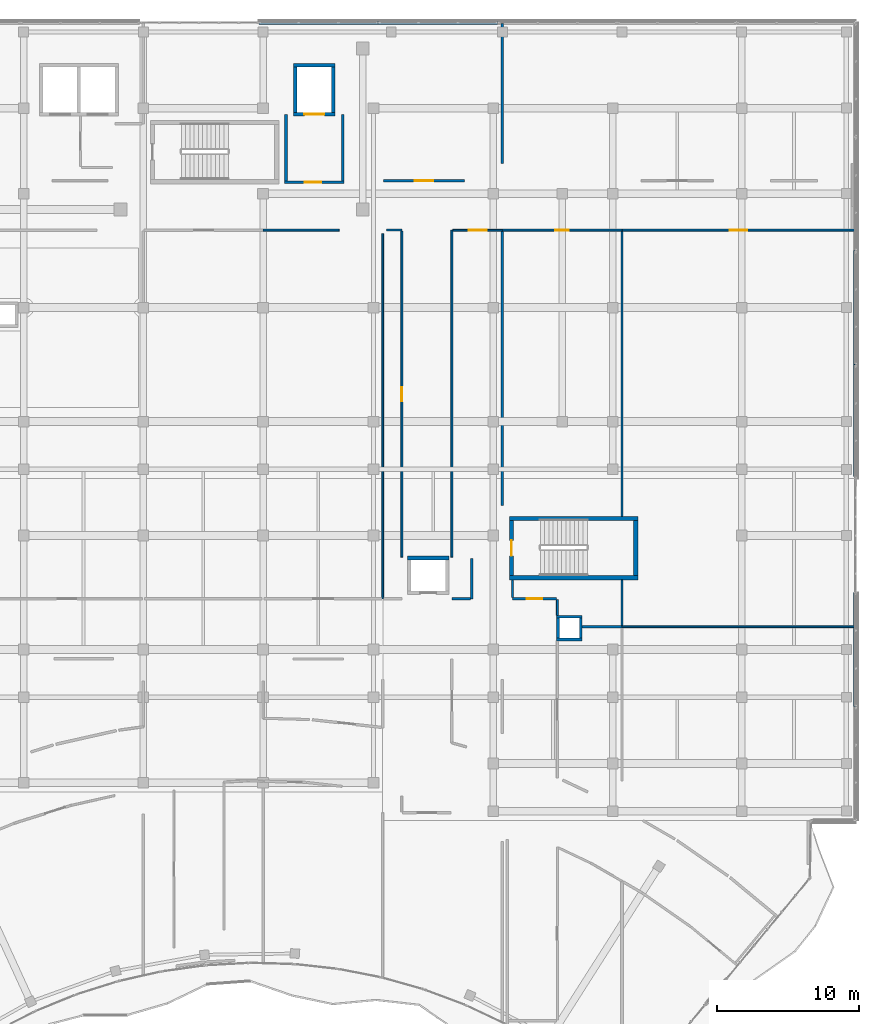
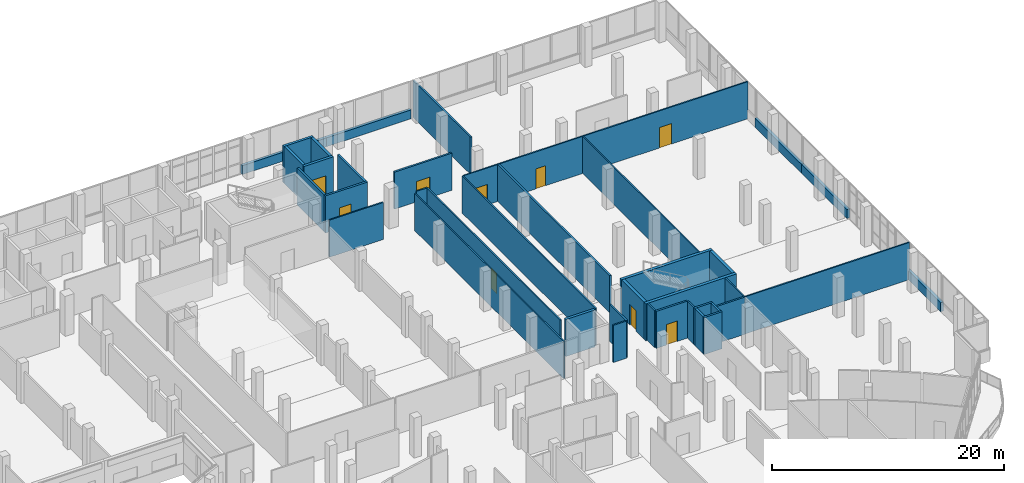
# One storey, part 171 of 184: 41 walls, 9 doors, 9 openings.
"""IFC4 building model written with IfcOpenShell, lengths in metres."""

from ifc_helpers import new_model, si_unit, direction, frame, frame_2d, origin, place, context, subcontext, project, spatial, rectangle, extrude, material, layer, layer_set, type_object, element, fill, save


model = new_model("IFC4")

# Units and contexts
model_context = context("Model", 3, precision=1e-05, world=origin(), true_north=direction((0.0, 1.0)))
body_context = subcontext(model_context, "Body", "Model", "MODEL_VIEW")
ifc_project = project(units=[si_unit("LENGTHUNIT", "METRE"), si_unit("AREAUNIT", "SQUARE_METRE"), si_unit("VOLUMEUNIT", "CUBIC_METRE"), si_unit("PLANEANGLEUNIT", "RADIAN"), si_unit("MASSUNIT", "GRAM", prefix="KILO")], contexts=[model_context])

# Site, building, storey
site_placement = place(None, origin())
site = spatial("IfcSite", under=ifc_project, at=site_placement, CompositionType="ELEMENT")
building_placement = place(site_placement, origin())
building = spatial("IfcBuilding", under=site, at=building_placement, Name="Selatvlak General Hospital", CompositionType="ELEMENT")
storey_placement = place(building_placement, frame((0.0, 0.0, 15.0)))
storey = spatial("IfcBuildingStorey", under=building, at=storey_placement, Name="L03", CompositionType="ELEMENT", Elevation=15.0)

# Walls
ifc_material_1 = material(Name="Precast concrete C40/50 - white Bauhaus spandrel", Category="concrete")
ifc_layer_1 = layer(ifc_material_1, 0.280029296875, Name="Precast concrete C40/50 - white Bauhaus spandrel", Category="concrete")
ifc_layer_set_1 = layer_set([ifc_layer_1], Name="Precast concrete C40/50 - white Bauhaus spandrel")
wall_type_1 = type_object("IfcWallType", Name="WALL-EW-02", PredefinedType="SOLIDWALL", material=ifc_layer_set_1)
for number, where, z_axis, x_axis, name in (
    (1, (140.10107421875, 120.0, 0.0), (0.0, 0.0, 1.0), (1.0, 0.0, 0.0), "L03 Bauhaus spandrel sill wall 0373"),
    (2, (148.48095703125, 120.0, 0.0), (0.0, 0.0, 1.0), (1.0, 0.0, 0.0), "L03 Bauhaus spandrel sill wall 0374"),
):
    element("IfcWall", number, at=place(storey_placement, frame(where, z_axis=z_axis, x_axis=x_axis)), inside=storey, type_object=wall_type_1, Name=name, PredefinedType="SOLIDWALL", context=body_context, shape_type="SweptSolid", body=[
        extrude(rectangle(XDim=8.3759765625, YDim=0.280029296875, at=frame_2d((4.18798828125, 0.0))), origin(), (0.0, 0.0, 1.0), 0.93994140625),
    ])
wall_1_placement = place(storey_placement, frame((182.0, 103.9990234375, 0.0), z_axis=(0.0, 0.0, 1.0), x_axis=(0.0, -1.0, 0.0)))
element("IfcWall", 3, at=wall_1_placement, inside=storey, type_object=wall_type_1, Name="L03 Bauhaus spandrel sill wall 0380", PredefinedType="SOLIDWALL", context=body_context, shape_type="SweptSolid", body=[
    extrude(rectangle(XDim=7.99609375, YDim=0.280029296875, at=frame_2d((3.998046875, 0.0))), origin(), (0.0, 0.0, 1.0), 0.93994140625),
])
wall_2_placement = place(storey_placement, frame((182.0, 95.9990234375, 0.0), z_axis=(0.0, 0.0, 1.0), x_axis=(0.0, -1.0, 0.0)))
element("IfcWall", 4, at=wall_2_placement, inside=storey, type_object=wall_type_1, Name="L03 Bauhaus spandrel sill wall 0381", PredefinedType="SOLIDWALL", context=body_context, shape_type="SweptSolid", body=[
    extrude(rectangle(XDim=7.85791015625, YDim=0.280029296875, at=frame_2d((3.928955078125, 0.0))), origin(), (0.0, 0.0, 1.0), 0.93994140625),
])
wall_3_placement = place(storey_placement, frame((182.0, 79.9990234375, 0.0), z_axis=(0.0, 0.0, 1.0), x_axis=(0.0, -1.0, 0.0)))
element("IfcWall", 5, at=wall_3_placement, inside=storey, type_object=wall_type_1, Name="L03 Bauhaus spandrel sill wall 0382", PredefinedType="SOLIDWALL", context=body_context, shape_type="SweptSolid", body=[
    extrude(rectangle(XDim=7.99609375, YDim=0.280029296875, at=frame_2d((3.998046875, 0.0))), origin(), (0.0, 0.0, 1.0), 0.93994140625),
])

# Wall, opening, door
ifc_material_2 = material(Name="Concrete C40/50", Category="concrete")
ifc_layer_2 = layer(ifc_material_2, 0.199951171875, Name="Concrete C40/50", Category="concrete")
ifc_layer_set_2 = layer_set([ifc_layer_2], Name="Concrete C40/50")
wall_type_2 = type_object("IfcWallType", Name="WALL-IW-02", PredefinedType="SOLIDWALL", material=ifc_layer_set_2)
wall_4_placement = place(storey_placement, frame((141.89990234375, 108.800048828125, 0.0), z_axis=(0.0, 0.0, 1.0), x_axis=(1.0, 0.0, 0.0)))
wall_4 = element("IfcWall", 6, at=wall_4_placement, inside=storey, type_object=wall_type_2, Name="Firefighting lobby C4 wall L03 S", PredefinedType="SOLIDWALL", context=body_context, shape_type="SweptSolid", body=[
    extrude(rectangle(XDim=4.2001953125, YDim=0.199951171875, at=frame_2d((2.10009765625, 0.0))), origin(), (0.0, 0.0, 1.0), 3.89501953125),
])
opening_1_placement = place(wall_4_placement, frame((1.425048828125, 0.0, 0.0)))
opening_1 = element("IfcOpeningElement", 7, at=opening_1_placement, cuts=wall_4, Name="Opening D-06", PredefinedType="OPENING", context=body_context, shape_type="SweptSolid", body=[
    extrude(rectangle(XDim=1.14990234375, YDim=2.14990234375, at=frame_2d((0.574951171875, 1.074951171875))), frame((0.0, 0.10986328125, 0.0), z_axis=(0.0, -1.0, 0.0), x_axis=(1.0, 0.0, 0.0)), (0.0, 0.0, 1.0), 0.219970703125),
])
ifc_material_3 = material(Name="Firefighting lobby fire door")
door_type_1 = type_object("IfcDoorType", Name="DOOR-D-06", OperationType="NOTDEFINED", PredefinedType="DOOR", material=ifc_material_3)
door_1_placement = place(opening_1_placement, origin())
door_1 = element("IfcDoor", 8, at=door_1_placement, inside=storey, type_object=door_type_1, Name="Firefighting lobby C4 door on L03", OperationType="SINGLE_SWING_LEFT", OverallHeight=2.14990234375, OverallWidth=1.14990234375, PredefinedType="DOOR", context=body_context, shape_type="SweptSolid", body=[
    extrude(rectangle(XDim=1.14990234375, YDim=2.14990234375, at=frame_2d((0.574951171875, 1.074951171875))), frame((0.0, 0.02490234375, 0.0), z_axis=(0.0, -1.0, 0.0), x_axis=(1.0, 0.0, 0.0)), (0.0, 0.0, 1.0), 0.050048828125),
])
fill(opening_1, door_1)

# Walls
for number, where, z_axis, x_axis, name in (
    (9, (146.0, 108.89990234375, 0.0), (0.0, 0.0, 1.0), (0.0, 1.0, 0.0), "Firefighting lobby C4 wall L03 E"),
    (10, (142.0, 113.550048828125, 0.0), (0.0, 0.0, 1.0), (0.0, -1.0, 0.0), "Firefighting lobby C4 wall L03 W"),
):
    element("IfcWall", number, at=place(storey_placement, frame(where, z_axis=z_axis, x_axis=x_axis)), inside=storey, type_object=wall_type_2, Name=name, PredefinedType="SOLIDWALL", context=body_context, shape_type="SweptSolid", body=[
        extrude(rectangle(XDim=4.650146484375, YDim=0.199951171875, at=frame_2d((2.3251953125, 0.0))), origin(), (0.0, 0.0, 1.0), 3.89501953125),
    ])
wall_5_placement = place(storey_placement, frame((161.0, 76.699951171875, 0.0), z_axis=(0.0, 0.0, 1.0), x_axis=(1.0, 0.0, 0.0)))
element("IfcWall", 11, at=wall_5_placement, inside=storey, type_object=wall_type_2, Name="Service riser 4 shaft wall L03 S", PredefinedType="SOLIDWALL", context=body_context, shape_type="SweptSolid", body=[
    extrude(rectangle(XDim=1.800048828125, YDim=0.199951171875, at=frame_2d((0.89990234375, 0.0))), origin(), (0.0, 0.0, 1.0), 3.89501953125),
])
wall_6_placement = place(storey_placement, frame((162.699951171875, 76.800048828125, 0.0), z_axis=(0.0, 0.0, 1.0), x_axis=(0.0, 1.0, 0.0)))
element("IfcWall", 12, at=wall_6_placement, inside=storey, type_object=wall_type_2, Name="Service riser 4 shaft wall L03 E", PredefinedType="SOLIDWALL", context=body_context, shape_type="SweptSolid", body=[
    extrude(rectangle(XDim=1.39990234375, YDim=0.199951171875, at=frame_2d((0.699951171875, 0.0))), origin(), (0.0, 0.0, 1.0), 3.89501953125),
])
wall_7_placement = place(storey_placement, frame((162.800048828125, 78.300048828125, 0.0), z_axis=(0.0, 0.0, 1.0), x_axis=(-1.0, 0.0, 0.0)))
element("IfcWall", 13, at=wall_7_placement, inside=storey, type_object=wall_type_2, Name="Service riser 4 shaft wall L03 N", PredefinedType="SOLIDWALL", context=body_context, shape_type="SweptSolid", body=[
    extrude(rectangle(XDim=1.800048828125, YDim=0.199951171875, at=frame_2d((0.89990234375, 0.0))), origin(), (0.0, 0.0, 1.0), 3.89501953125),
])
wall_8_placement = place(storey_placement, frame((161.10009765625, 78.199951171875, 0.0), z_axis=(0.0, 0.0, 1.0), x_axis=(0.0, -1.0, 0.0)))
element("IfcWall", 14, at=wall_8_placement, inside=storey, type_object=wall_type_2, Name="Service riser 4 shaft wall L03 W", PredefinedType="SOLIDWALL", context=body_context, shape_type="SweptSolid", body=[
    extrude(rectangle(XDim=1.39990234375, YDim=0.199951171875, at=frame_2d((0.699951171875, 0.0))), origin(), (0.0, 0.0, 1.0), 3.89501953125),
])
ifc_material_4 = material(Name="Acoustic gypsum stud partition")
ifc_layer_3 = layer(ifc_material_4, 0.179931640625, Name="Acoustic gypsum stud partition")
ifc_layer_set_3 = layer_set([ifc_layer_3], Name="Acoustic gypsum stud partition")
wall_type_3 = type_object("IfcWallType", Name="WALL-PT-01", PredefinedType="PARTITIONING", material=ifc_layer_set_3)
wall_9_placement = place(storey_placement, frame((162.797119140625, 77.60009765625, 0.0), z_axis=(0.0, 0.0, 1.0), x_axis=(1.0, 0.0, 0.0)))
element("IfcWall", 15, at=wall_9_placement, inside=storey, type_object=wall_type_3, Name="L03 clinical partition PT-L03-1533", PredefinedType="PARTITIONING", context=body_context, shape_type="SweptSolid", body=[
    extrude(rectangle(XDim=2.802978515625, YDim=0.179931640625, at=frame_2d((1.4013671875, 0.0))), origin(), (0.0, 0.0, 1.0), 3.89501953125),
])
wall_10_placement = place(storey_placement, frame((157.199951171875, 105.384033203125, 0.0), z_axis=(0.0, 0.0, 1.0), x_axis=(0.0, -1.0, 0.0)))
element("IfcWall", 16, at=wall_10_placement, inside=storey, type_object=wall_type_3, Name="L03 clinical partition PT-L03-1600", PredefinedType="PARTITIONING", context=body_context, shape_type="SweptSolid", body=[
    extrude(rectangle(XDim=19.27197265625, YDim=0.179931640625, at=frame_2d((9.635986328125, 0.0))), origin(), (0.0, 0.0, 1.0), 3.89501953125),
])

# Wall, opening, door
wall_11_placement = place(storey_placement, frame((161.0, 79.56005859375, 0.0), z_axis=(0.0, 0.0, 1.0), x_axis=(-1.0, 0.0, 0.0)))
wall_11 = element("IfcWall", 17, at=wall_11_placement, inside=storey, type_object=wall_type_3, Name="L03 clinical partition PT-L03-1605", PredefinedType="PARTITIONING", context=body_context, shape_type="SweptSolid", body=[
    extrude(rectangle(XDim=3.090087890625, YDim=0.179931640625, at=frame_2d((1.544921875, 0.0))), origin(), (0.0, 0.0, 1.0), 3.89501953125),
])
opening_2_placement = place(wall_11_placement, frame((0.9951171875, 0.0, 0.0)))
opening_2 = element("IfcOpeningElement", 18, at=opening_2_placement, cuts=wall_11, Name="Opening D-22", PredefinedType="OPENING", context=body_context, shape_type="SweptSolid", body=[
    extrude(rectangle(XDim=1.10009765625, YDim=2.14990234375, at=frame_2d((0.550048828125, 1.074951171875))), frame((0.0, 0.099853515625, 0.0), z_axis=(0.0, -1.0, 0.0), x_axis=(1.0, 0.0, 0.0)), (0.0, 0.0, 1.0), 0.199951171875),
])
ifc_material_5 = material(Name="Pharmacy security fire door")
door_type_2 = type_object("IfcDoorType", Name="DOOR-D-22", OperationType="NOTDEFINED", PredefinedType="DOOR", material=ifc_material_5)
door_2_placement = place(opening_2_placement, origin())
door_2 = element("IfcDoor", 19, at=door_2_placement, inside=storey, type_object=door_type_2, Name="L03 OT Laminar Flow AHU Plant 47 door", OperationType="SINGLE_SWING_LEFT", OverallHeight=2.14990234375, OverallWidth=1.10009765625, PredefinedType="DOOR", context=body_context, shape_type="SweptSolid", body=[
    extrude(rectangle(XDim=1.10009765625, YDim=2.14990234375, at=frame_2d((0.550048828125, 1.074951171875))), frame((0.0, 0.02490234375, 0.0), z_axis=(0.0, -1.0, 0.0), x_axis=(1.0, 0.0, 0.0)), (0.0, 0.0, 1.0), 0.050048828125),
])
fill(opening_2, door_2)

wall_12_placement = place(storey_placement, frame((154.5390625, 108.909912109375, 0.0), z_axis=(0.0, 0.0, 1.0), x_axis=(-1.0, 0.0, 0.0)))
wall_12 = element("IfcWall", 20, at=wall_12_placement, inside=storey, type_object=wall_type_3, Name="L03 clinical partition PT-L03-1644", PredefinedType="PARTITIONING", context=body_context, shape_type="SweptSolid", body=[
    extrude(rectangle(XDim=5.675048828125, YDim=0.179931640625, at=frame_2d((2.83740234375, 0.0))), origin(), (0.0, 0.0, 1.0), 3.89501953125),
])
opening_3_placement = place(wall_12_placement, frame((2.18701171875, 0.0, 0.0)))
opening_3 = element("IfcOpeningElement", 21, at=opening_3_placement, cuts=wall_12, Name="Opening D-09", PredefinedType="OPENING", context=body_context, shape_type="SweptSolid", body=[
    extrude(rectangle(XDim=1.300048828125, YDim=2.14990234375, at=frame_2d((0.64990234375, 1.074951171875))), frame((0.0, 0.099853515625, 0.0), z_axis=(0.0, -1.0, 0.0), x_axis=(1.0, 0.0, 0.0)), (0.0, 0.0, 1.0), 0.199951171875),
])
ifc_material_6 = material(Name="Outpatient procedure door")
door_type_3 = type_object("IfcDoorType", Name="DOOR-D-09", OperationType="NOTDEFINED", PredefinedType="DOOR", material=ifc_material_6)
door_3_placement = place(opening_3_placement, origin())
door_3 = element("IfcDoor", 22, at=door_3_placement, inside=storey, type_object=door_type_3, Name="L03 Medical Vacuum Plant Room 63 door", OperationType="SINGLE_SWING_RIGHT", OverallHeight=2.14990234375, OverallWidth=1.300048828125, PredefinedType="DOOR", context=body_context, shape_type="SweptSolid", body=[
    extrude(rectangle(XDim=1.300048828125, YDim=2.14990234375, at=frame_2d((0.64990234375, 1.074951171875))), frame((0.0, 0.02490234375, 0.0), z_axis=(0.0, -1.0, 0.0), x_axis=(1.0, 0.0, 0.0)), (0.0, 0.0, 1.0), 0.050048828125),
])
fill(opening_3, door_3)

# Walls
ifc_layer_4 = layer(ifc_material_4, 0.1650390625, Name="Acoustic gypsum stud partition")
ifc_layer_set_4 = layer_set([ifc_layer_4], Name="Acoustic gypsum stud partition")
wall_type_4 = type_object("IfcWallType", Name="WALL-PT-02", PredefinedType="PARTITIONING", material=ifc_layer_set_4)
wall_13_placement = place(storey_placement, frame((155.0400390625, 82.388916015625, 0.0), z_axis=(0.0, 0.0, 1.0), x_axis=(0.0, -1.0, 0.0)))
element("IfcWall", 23, at=wall_13_placement, inside=storey, type_object=wall_type_4, Name="L03 clinical partition PT-L03-1596", PredefinedType="PARTITIONING", context=body_context, shape_type="SweptSolid", body=[
    extrude(rectangle(XDim=2.828857421875, YDim=0.1650390625, at=frame_2d((1.41455078125, 0.0))), origin(), (0.0, 0.0, 1.0), 3.89501953125),
])
wall_14_placement = place(storey_placement, frame((157.909912109375, 79.64599609375, 0.0), z_axis=(0.0, 0.0, 1.0), x_axis=(0.0, 1.0, 0.0)))
element("IfcWall", 24, at=wall_14_placement, inside=storey, type_object=wall_type_4, Name="L03 clinical partition PT-L03-1606", PredefinedType="PARTITIONING", context=body_context, shape_type="SweptSolid", body=[
    extrude(rectangle(XDim=1.2470703125, YDim=0.1650390625, at=frame_2d((0.62353515625, 0.0))), origin(), (0.0, 0.0, 1.0), 3.89501953125),
])
wall_15_placement = place(storey_placement, frame((157.199951171875, 119.9580078125, 0.0), z_axis=(0.0, 0.0, 1.0), x_axis=(0.0, -1.0, 0.0)))
element("IfcWall", 25, at=wall_15_placement, inside=storey, type_object=wall_type_4, Name="L03 clinical partition PT-L03-1645", PredefinedType="PARTITIONING", context=body_context, shape_type="SweptSolid", body=[
    extrude(rectangle(XDim=9.845947265625, YDim=0.1650390625, at=frame_2d((4.9228515625, 0.0))), origin(), (0.0, 0.0, 1.0), 3.89501953125),
])
ifc_layer_5 = layer(ifc_material_4, 0.14990234375, Name="Acoustic gypsum stud partition")
ifc_layer_set_5 = layer_set([ifc_layer_5], Name="Acoustic gypsum stud partition")
wall_type_5 = type_object("IfcWallType", Name="WALL-PT-03", PredefinedType="PARTITIONING", material=ifc_layer_set_5)
wall_16_placement = place(storey_placement, frame((154.9619140625, 79.56005859375, 0.0), z_axis=(0.0, 0.0, 1.0), x_axis=(-1.0, 0.0, 0.0)))
element("IfcWall", 26, at=wall_16_placement, inside=storey, type_object=wall_type_5, Name="L03 clinical partition PT-L03-1597", PredefinedType="PARTITIONING", context=body_context, shape_type="SweptSolid", body=[
    extrude(rectangle(XDim=1.302001953125, YDim=0.14990234375, at=frame_2d((0.65087890625, 0.0))), origin(), (0.0, 0.0, 1.0), 3.89501953125),
])
wall_17_placement = place(storey_placement, frame((149.055908203125, 105.43994140625, 0.0), z_axis=(0.0, 0.0, 1.0), x_axis=(1.0, 0.0, 0.0)))
element("IfcWall", 27, at=wall_17_placement, inside=storey, type_object=wall_type_5, Name="L03 clinical partition PT-L03-1602", PredefinedType="PARTITIONING", context=body_context, shape_type="SweptSolid", body=[
    extrude(rectangle(XDim=1.083984375, YDim=0.14990234375, at=frame_2d((0.5419921875, 0.0))), origin(), (0.0, 0.0, 1.0), 3.89501953125),
])
ifc_material_7 = material(Name="Moisture-resistant clinical partition")
ifc_layer_6 = layer(ifc_material_7, 0.135009765625, Name="Moisture-resistant clinical partition")
ifc_layer_set_6 = layer_set([ifc_layer_6], Name="Moisture-resistant clinical partition")
wall_type_6 = type_object("IfcWallType", Name="WALL-PT-04", PredefinedType="PARTITIONING", material=ifc_layer_set_6)
wall_18_placement = place(storey_placement, frame((165.60009765625, 77.60009765625, 0.0), z_axis=(0.0, 0.0, 1.0), x_axis=(1.0, 0.0, 0.0)))
element("IfcWall", 28, at=wall_18_placement, inside=storey, type_object=wall_type_6, Name="L03 clinical partition PT-L03-1543", PredefinedType="PARTITIONING", context=body_context, shape_type="SweptSolid", body=[
    extrude(rectangle(XDim=16.35791015625, YDim=0.135009765625, at=frame_2d((8.178955078125, 0.0))), origin(), (0.0, 0.0, 1.0), 3.89501953125),
])
wall_19_placement = place(storey_placement, frame((140.39990234375, 105.43994140625, 0.0), z_axis=(0.0, 0.0, 1.0), x_axis=(1.0, 0.0, 0.0)))
element("IfcWall", 29, at=wall_19_placement, inside=storey, type_object=wall_type_6, Name="L03 clinical partition PT-L03-1593", PredefinedType="PARTITIONING", context=body_context, shape_type="SweptSolid", body=[
    extrude(rectangle(XDim=5.343994140625, YDim=0.135009765625, at=frame_2d((2.671875, 0.0))), origin(), (0.0, 0.0, 1.0), 3.89501953125),
])
wall_20_placement = place(storey_placement, frame((153.659912109375, 82.47998046875, 0.0), z_axis=(0.0, 0.0, 1.0), x_axis=(0.0, 1.0, 0.0)))
element("IfcWall", 30, at=wall_20_placement, inside=storey, type_object=wall_type_6, Name="L03 clinical partition PT-L03-1598", PredefinedType="PARTITIONING", context=body_context, shape_type="SweptSolid", body=[
    extrude(rectangle(XDim=22.9599609375, YDim=0.135009765625, at=frame_2d((11.47998046875, 0.0))), origin(), (0.0, 0.0, 1.0), 3.89501953125),
])

# Wall, opening, door
wall_21_placement = place(storey_placement, frame((150.139892578125, 105.368896484375, 0.0), z_axis=(0.0, 0.0, 1.0), x_axis=(0.0, -1.0, 0.0)))
wall_21 = element("IfcWall", 31, at=wall_21_placement, inside=storey, type_object=wall_type_6, Name="L03 clinical partition PT-L03-1603", PredefinedType="PARTITIONING", context=body_context, shape_type="SweptSolid", body=[
    extrude(rectangle(XDim=22.888916015625, YDim=0.135009765625, at=frame_2d((11.4443359375, 0.0))), origin(), (0.0, 0.0, 1.0), 3.89501953125),
])
opening_4_placement = place(wall_21_placement, frame((10.944091796875, 0.0, 0.0)))
opening_4 = element("IfcOpeningElement", 32, at=opening_4_placement, cuts=wall_21, Name="Opening D-21", PredefinedType="OPENING", context=body_context, shape_type="SweptSolid", body=[
    extrude(rectangle(XDim=1.0, YDim=2.14990234375, at=frame_2d((0.5, 1.074951171875))), frame((0.0, 0.077392578125, 0.0), z_axis=(0.0, -1.0, 0.0), x_axis=(1.0, 0.0, 0.0)), (0.0, 0.0, 1.0), 0.155029296875),
])
ifc_material_8 = material(Name="Laboratory fire door")
door_type_4 = type_object("IfcDoorType", Name="DOOR-D-21", OperationType="NOTDEFINED", PredefinedType="DOOR", material=ifc_material_8)
door_4_placement = place(opening_4_placement, origin())
door_4 = element("IfcDoor", 33, at=door_4_placement, inside=storey, type_object=door_type_4, Name="L03 Biomedical Engineering Workshop 46 door", OperationType="SINGLE_SWING_RIGHT", OverallHeight=2.14990234375, OverallWidth=1.0, PredefinedType="DOOR", context=body_context, shape_type="SweptSolid", body=[
    extrude(rectangle(XDim=1.0, YDim=2.14990234375, at=frame_2d((0.5, 1.074951171875))), frame((0.0, 0.02490234375, 0.0), z_axis=(0.0, -1.0, 0.0), x_axis=(1.0, 0.0, 0.0)), (0.0, 0.0, 1.0), 0.050048828125),
])
fill(opening_4, door_4)

# Walls
wall_22_placement = place(storey_placement, frame((161.06005859375, 78.39697265625, 0.0), z_axis=(0.0, 0.0, 1.0), x_axis=(0.0, 1.0, 0.0)))
element("IfcWall", 34, at=wall_22_placement, inside=storey, type_object=wall_type_6, Name="L03 clinical partition PT-L03-1604", PredefinedType="PARTITIONING", context=body_context, shape_type="SweptSolid", body=[
    extrude(rectangle(XDim=1.10302734375, YDim=0.135009765625, at=frame_2d((0.551513671875, 0.0))), origin(), (0.0, 0.0, 1.0), 3.89501953125),
])
wall_23_placement = place(storey_placement, frame((165.60009765625, 80.89306640625, 0.0), z_axis=(0.0, 0.0, 1.0), x_axis=(0.0, -1.0, 0.0)))
element("IfcWall", 35, at=wall_23_placement, inside=storey, type_object=wall_type_6, Name="L03 clinical partition PT-L03-1607", PredefinedType="PARTITIONING", context=body_context, shape_type="SweptSolid", body=[
    extrude(rectangle(XDim=3.20703125, YDim=0.135009765625, at=frame_2d((1.603515625, 0.0))), origin(), (0.0, 0.0, 1.0), 3.89501953125),
])

# Wall, opening, door
wall_24_placement = place(storey_placement, frame((157.199951171875, 105.43994140625, 0.0), z_axis=(0.0, 0.0, 1.0), x_axis=(1.0, 0.0, 0.0)))
wall_24 = element("IfcWall", 36, at=wall_24_placement, inside=storey, type_object=wall_type_6, Name="L03 clinical partition PT-L03-1608", PredefinedType="PARTITIONING", context=body_context, shape_type="SweptSolid", body=[
    extrude(rectangle(XDim=8.400146484375, YDim=0.135009765625, at=frame_2d((4.2001953125, 0.0))), origin(), (0.0, 0.0, 1.0), 3.89501953125),
])
opening_5_placement = place(wall_24_placement, frame((3.72509765625, 0.0, 0.0)))
opening_5 = element("IfcOpeningElement", 37, at=opening_5_placement, cuts=wall_24, Name="Opening D-02", PredefinedType="OPENING", context=body_context, shape_type="SweptSolid", body=[
    extrude(rectangle(XDim=0.949951171875, YDim=2.10009765625, at=frame_2d((0.47509765625, 1.050048828125))), frame((0.0, 0.077392578125, 0.0), z_axis=(0.0, -1.0, 0.0), x_axis=(1.0, 0.0, 0.0)), (0.0, 0.0, 1.0), 0.155029296875),
])
ifc_material_9 = material(Name="Moisture-resistant en-suite door")
door_type_5 = type_object("IfcDoorType", Name="DOOR-D-02", OperationType="NOTDEFINED", PredefinedType="DOOR", material=ifc_material_9)
door_5_placement = place(opening_5_placement, origin())
door_5 = element("IfcDoor", 38, at=door_5_placement, inside=storey, type_object=door_type_5, Name="L03 Histopathology Laboratory 48 door", OperationType="SINGLE_SWING_RIGHT", OverallHeight=2.10009765625, OverallWidth=0.949951171875, PredefinedType="DOOR", context=body_context, shape_type="SweptSolid", body=[
    extrude(rectangle(XDim=0.949951171875, YDim=2.10009765625, at=frame_2d((0.47509765625, 1.050048828125))), frame((0.0, 0.02490234375, 0.0), z_axis=(0.0, -1.0, 0.0), x_axis=(1.0, 0.0, 0.0)), (0.0, 0.0, 1.0), 0.050048828125),
])
fill(opening_5, door_5)

wall_25_placement = place(storey_placement, frame((165.60009765625, 105.43994140625, 0.0), z_axis=(0.0, 0.0, 1.0), x_axis=(1.0, 0.0, 0.0)))
wall_25 = element("IfcWall", 39, at=wall_25_placement, inside=storey, type_object=wall_type_6, Name="L03 clinical partition PT-L03-1610", PredefinedType="PARTITIONING", context=body_context, shape_type="SweptSolid", body=[
    extrude(rectangle(XDim=16.35791015625, YDim=0.135009765625, at=frame_2d((8.178955078125, 0.0))), origin(), (0.0, 0.0, 1.0), 3.89501953125),
])
opening_6_placement = place(wall_25_placement, frame((7.5791015625, 0.0, 0.0)))
opening_6 = element("IfcOpeningElement", 40, at=opening_6_placement, cuts=wall_25, Name="Opening D-07", PredefinedType="OPENING", context=body_context, shape_type="SweptSolid", body=[
    extrude(rectangle(XDim=1.199951171875, YDim=2.14990234375, at=frame_2d((0.60009765625, 1.074951171875))), frame((0.0, 0.077392578125, 0.0), z_axis=(0.0, -1.0, 0.0), x_axis=(1.0, 0.0, 0.0)), (0.0, 0.0, 1.0), 0.155029296875),
])
ifc_material_10 = material(Name="Plant and store fire door")
door_type_6 = type_object("IfcDoorType", Name="DOOR-D-07", OperationType="NOTDEFINED", PredefinedType="DOOR", material=ifc_material_10)
door_6_placement = place(opening_6_placement, origin())
door_6 = element("IfcDoor", 41, at=door_6_placement, inside=storey, type_object=door_type_6, Name="L03 Medical Vacuum Plant Room 49 door", OperationType="SINGLE_SWING_LEFT", OverallHeight=2.14990234375, OverallWidth=1.199951171875, PredefinedType="DOOR", context=body_context, shape_type="SweptSolid", body=[
    extrude(rectangle(XDim=1.199951171875, YDim=2.14990234375, at=frame_2d((0.60009765625, 1.074951171875))), frame((0.0, 0.02490234375, 0.0), z_axis=(0.0, -1.0, 0.0), x_axis=(1.0, 0.0, 0.0)), (0.0, 0.0, 1.0), 0.050048828125),
])
fill(opening_6, door_6)

# Wall
ifc_layer_7 = layer(ifc_material_7, 0.1201171875, Name="Moisture-resistant clinical partition")
ifc_layer_set_7 = layer_set([ifc_layer_7], Name="Moisture-resistant clinical partition")
wall_type_7 = type_object("IfcWallType", Name="WALL-PT-05", PredefinedType="PARTITIONING", material=ifc_layer_set_7)
wall_26_placement = place(storey_placement, frame((148.800048828125, 105.18994140625, 0.0), z_axis=(0.0, 0.0, 1.0), x_axis=(0.0, -1.0, 0.0)))
element("IfcWall", 42, at=wall_26_placement, inside=storey, type_object=wall_type_7, Name="L03 clinical partition PT-L03-1594", PredefinedType="PARTITIONING", context=body_context, shape_type="SweptSolid", body=[
    extrude(rectangle(XDim=25.6298828125, YDim=0.1201171875, at=frame_2d((12.81494140625, 0.0))), origin(), (0.0, 0.0, 1.0), 3.89501953125),
])

# Wall, opening, door
wall_27_placement = place(storey_placement, frame((153.72412109375, 105.43994140625, 0.0), z_axis=(0.0, 0.0, 1.0), x_axis=(1.0, 0.0, 0.0)))
wall_27 = element("IfcWall", 43, at=wall_27_placement, inside=storey, type_object=wall_type_7, Name="L03 clinical partition PT-L03-1599", PredefinedType="PARTITIONING", context=body_context, shape_type="SweptSolid", body=[
    extrude(rectangle(XDim=3.475830078125, YDim=0.1201171875, at=frame_2d((1.73779296875, 0.0))), origin(), (0.0, 0.0, 1.0), 3.89501953125),
])
opening_7_placement = place(wall_27_placement, frame((1.113037109375, 0.0, 0.0)))
opening_7 = element("IfcOpeningElement", 44, at=opening_7_placement, cuts=wall_27, Name="Opening D-08", PredefinedType="OPENING", context=body_context, shape_type="SweptSolid", body=[
    extrude(rectangle(XDim=1.25, YDim=2.14990234375, at=frame_2d((0.625, 1.074951171875))), frame((0.0, 0.070068359375, 0.0), z_axis=(0.0, -1.0, 0.0), x_axis=(1.0, 0.0, 0.0)), (0.0, 0.0, 1.0), 0.14013671875),
])
ifc_material_11 = material(Name="Diagnostic treatment door")
door_type_7 = type_object("IfcDoorType", Name="DOOR-D-08", OperationType="NOTDEFINED", PredefinedType="DOOR", material=ifc_material_11)
door_7_placement = place(opening_7_placement, origin())
door_7 = element("IfcDoor", 45, at=door_7_placement, inside=storey, type_object=door_type_7, Name="L03 Hospital Transfusion Blood Bank 45 door", OperationType="SINGLE_SWING_LEFT", OverallHeight=2.14990234375, OverallWidth=1.25, PredefinedType="DOOR", context=body_context, shape_type="SweptSolid", body=[
    extrude(rectangle(XDim=1.25, YDim=2.14990234375, at=frame_2d((0.625, 1.074951171875))), frame((0.0, 0.02490234375, 0.0), z_axis=(0.0, -1.0, 0.0), x_axis=(1.0, 0.0, 0.0)), (0.0, 0.0, 1.0), 0.050048828125),
])
fill(opening_7, door_7)

# Walls
wall_28_placement = place(storey_placement, frame((165.60009765625, 105.3759765625, 0.0), z_axis=(0.0, 0.0, 1.0), x_axis=(0.0, -1.0, 0.0)))
element("IfcWall", 46, at=wall_28_placement, inside=storey, type_object=wall_type_7, Name="L03 clinical partition PT-L03-1609", PredefinedType="PARTITIONING", context=body_context, shape_type="SweptSolid", body=[
    extrude(rectangle(XDim=20.029052734375, YDim=0.1201171875, at=frame_2d((10.0146484375, 0.0))), origin(), (0.0, 0.0, 1.0), 3.89501953125),
])
ifc_material_12 = material(Name="Concrete C45/55", Category="concrete")
ifc_layer_8 = layer(ifc_material_12, 0.300048828125, Name="Concrete C45/55", Category="concrete")
ifc_layer_set_8 = layer_set([ifc_layer_8], Name="Concrete C45/55")
wall_type_8 = type_object("IfcWallType", Name="WALL-SW-02", PredefinedType="SHEAR", material=ifc_layer_set_8)
wall_29_placement = place(storey_placement, frame((157.68994140625, 81.0400390625, 0.0), z_axis=(0.0, 0.0, 1.0), x_axis=(1.0, 0.0, 0.0)))
element("IfcWall", 47, at=wall_29_placement, inside=storey, type_object=wall_type_8, Name="ST-06 core shear wall L03 S", PredefinedType="SHEAR", context=body_context, shape_type="SweptSolid", body=[
    extrude(rectangle(XDim=9.02001953125, YDim=0.300048828125, at=frame_2d((4.510009765625, 0.0))), origin(), (0.0, 0.0, 1.0), 3.89501953125),
])
wall_30_placement = place(storey_placement, frame((166.56005859375, 81.18994140625, 0.0), z_axis=(0.0, 0.0, 1.0), x_axis=(0.0, 1.0, 0.0)))
element("IfcWall", 48, at=wall_30_placement, inside=storey, type_object=wall_type_8, Name="ST-06 core shear wall L03 E", PredefinedType="SHEAR", context=body_context, shape_type="SweptSolid", body=[
    extrude(rectangle(XDim=3.860107421875, YDim=0.300048828125, at=frame_2d((1.93017578125, 0.0))), origin(), (0.0, 0.0, 1.0), 3.89501953125),
])
wall_31_placement = place(storey_placement, frame((166.7099609375, 85.199951171875, 0.0), z_axis=(0.0, 0.0, 1.0), x_axis=(-1.0, 0.0, 0.0)))
element("IfcWall", 49, at=wall_31_placement, inside=storey, type_object=wall_type_8, Name="ST-06 core shear wall L03 N", PredefinedType="SHEAR", context=body_context, shape_type="SweptSolid", body=[
    extrude(rectangle(XDim=9.02001953125, YDim=0.300048828125, at=frame_2d((4.510009765625, 0.0))), origin(), (0.0, 0.0, 1.0), 3.89501953125),
])

# Wall, opening, door
wall_32_placement = place(storey_placement, frame((157.840087890625, 85.050048828125, 0.0), z_axis=(0.0, 0.0, 1.0), x_axis=(0.0, -1.0, 0.0)))
wall_32 = element("IfcWall", 50, at=wall_32_placement, inside=storey, type_object=wall_type_8, Name="ST-06 core shear wall L03 W", PredefinedType="SHEAR", context=body_context, shape_type="SweptSolid", body=[
    extrude(rectangle(XDim=3.860107421875, YDim=0.300048828125, at=frame_2d((1.93017578125, 0.0))), origin(), (0.0, 0.0, 1.0), 3.89501953125),
])
opening_8_placement = place(wall_32_placement, frame((1.3798828125, 0.0, 0.0)))
opening_8 = element("IfcOpeningElement", 51, at=opening_8_placement, cuts=wall_32, Name="Opening D-05", PredefinedType="OPENING", context=body_context, shape_type="SweptSolid", body=[
    extrude(rectangle(XDim=1.10009765625, YDim=2.14990234375, at=frame_2d((0.550048828125, 1.074951171875))), frame((0.0, 0.159912109375, 0.0), z_axis=(0.0, -1.0, 0.0), x_axis=(1.0, 0.0, 0.0)), (0.0, 0.0, 1.0), 0.320068359375),
])
ifc_material_13 = material(Name="Protected stair fire door")
door_type_8 = type_object("IfcDoorType", Name="DOOR-D-05", OperationType="NOTDEFINED", PredefinedType="DOOR", material=ifc_material_13)
door_8_placement = place(opening_8_placement, origin())
door_8 = element("IfcDoor", 52, at=door_8_placement, inside=storey, type_object=door_type_8, Name="ST-06 protected stair door on L03", OperationType="SINGLE_SWING_LEFT", OverallHeight=2.14990234375, OverallWidth=1.10009765625, PredefinedType="DOOR", context=body_context, shape_type="SweptSolid", body=[
    extrude(rectangle(XDim=1.10009765625, YDim=2.14990234375, at=frame_2d((0.550048828125, 1.074951171875))), frame((0.0, 0.02490234375, 0.0), z_axis=(0.0, -1.0, 0.0), x_axis=(1.0, 0.0, 0.0)), (0.0, 0.0, 1.0), 0.050048828125),
])
fill(opening_8, door_8)

# Wall
ifc_layer_9 = layer(ifc_material_2, 0.25, Name="Concrete C40/50", Category="concrete")
ifc_layer_set_9 = layer_set([ifc_layer_9], Name="Concrete C40/50")
wall_type_9 = type_object("IfcWallType", Name="WALL-SW-03", PredefinedType="SHEAR", material=ifc_layer_set_9)
wall_33_placement = place(storey_placement, frame((153.449951171875, 82.425048828125, 0.0), z_axis=(0.0, 0.0, 1.0), x_axis=(-1.0, 0.0, 0.0)))
element("IfcWall", 53, at=wall_33_placement, inside=storey, type_object=wall_type_9, Name="Lift LP-04 shaft wall L03 N", PredefinedType="SHEAR", context=body_context, shape_type="SweptSolid", body=[
    extrude(rectangle(XDim=2.89990234375, YDim=0.25, at=frame_2d((1.449951171875, 0.0))), origin(), (0.0, 0.0, 1.0), 3.89501953125),
])

# Wall, opening, door
wall_34_placement = place(storey_placement, frame((142.550048828125, 113.574951171875, 0.0), z_axis=(0.0, 0.0, 1.0), x_axis=(1.0, 0.0, 0.0)))
wall_34 = element("IfcWall", 54, at=wall_34_placement, inside=storey, type_object=wall_type_9, Name="Lift LF-03 shaft wall L03 S", PredefinedType="SHEAR", context=body_context, shape_type="SweptSolid", body=[
    extrude(rectangle(XDim=2.89990234375, YDim=0.25, at=frame_2d((1.449951171875, 0.0))), origin(), (0.0, 0.0, 1.0), 3.89501953125),
])
opening_9_placement = place(wall_34_placement, frame((0.75, 0.0, 0.0)))
opening_9 = element("IfcOpeningElement", 55, at=opening_9_placement, cuts=wall_34, Name="Opening LD-F1", PredefinedType="OPENING", context=body_context, shape_type="SweptSolid", body=[
    extrude(rectangle(XDim=1.39990234375, YDim=2.14990234375, at=frame_2d((0.699951171875, 1.074951171875))), frame((0.0, 0.135009765625, 0.0), z_axis=(0.0, -1.0, 0.0), x_axis=(1.0, 0.0, 0.0)), (0.0, 0.0, 1.0), 0.27001953125),
])
ifc_material_14 = material(Name="Stainless steel fire lift landing door", Category="steel")
door_type_9 = type_object("IfcDoorType", Name="DOOR-LD-F1", OperationType="DOUBLE_DOOR_SLIDING", PredefinedType="DOOR", material=ifc_material_14)
door_9_placement = place(opening_9_placement, origin())
door_9 = element("IfcDoor", 56, at=door_9_placement, inside=storey, type_object=door_type_9, Name="Lift LF-03 sliding landing door on L03", OperationType="DOUBLE_DOOR_SLIDING", OverallHeight=2.14990234375, OverallWidth=1.39990234375, PredefinedType="DOOR", context=body_context, shape_type="SweptSolid", body=[
    extrude(rectangle(XDim=1.39990234375, YDim=2.14990234375, at=frame_2d((0.699951171875, 1.074951171875))), frame((0.0, 0.02490234375, 0.0), z_axis=(0.0, -1.0, 0.0), x_axis=(1.0, 0.0, 0.0)), (0.0, 0.0, 1.0), 0.050048828125),
])
fill(opening_9, door_9)

# Walls
wall_35_placement = place(storey_placement, frame((145.324951171875, 113.699951171875, 0.0), z_axis=(0.0, 0.0, 1.0), x_axis=(0.0, 1.0, 0.0)))
element("IfcWall", 57, at=wall_35_placement, inside=storey, type_object=wall_type_9, Name="Lift LF-03 shaft wall L03 E", PredefinedType="SHEAR", context=body_context, shape_type="SweptSolid", body=[
    extrude(rectangle(XDim=3.199951171875, YDim=0.25, at=frame_2d((1.60009765625, 0.0))), origin(), (0.0, 0.0, 1.0), 3.89501953125),
])
wall_36_placement = place(storey_placement, frame((145.449951171875, 117.02490234375, 0.0), z_axis=(0.0, 0.0, 1.0), x_axis=(-1.0, 0.0, 0.0)))
element("IfcWall", 58, at=wall_36_placement, inside=storey, type_object=wall_type_9, Name="Lift LF-03 shaft wall L03 N", PredefinedType="SHEAR", context=body_context, shape_type="SweptSolid", body=[
    extrude(rectangle(XDim=2.89990234375, YDim=0.25, at=frame_2d((1.449951171875, 0.0))), origin(), (0.0, 0.0, 1.0), 3.89501953125),
])
wall_37_placement = place(storey_placement, frame((142.675048828125, 116.89990234375, 0.0), z_axis=(0.0, 0.0, 1.0), x_axis=(0.0, -1.0, 0.0)))
element("IfcWall", 59, at=wall_37_placement, inside=storey, type_object=wall_type_9, Name="Lift LF-03 shaft wall L03 W", PredefinedType="SHEAR", context=body_context, shape_type="SweptSolid", body=[
    extrude(rectangle(XDim=3.199951171875, YDim=0.25, at=frame_2d((1.60009765625, 0.0))), origin(), (0.0, 0.0, 1.0), 3.89501953125),
])

save(model, "model.ifc")
